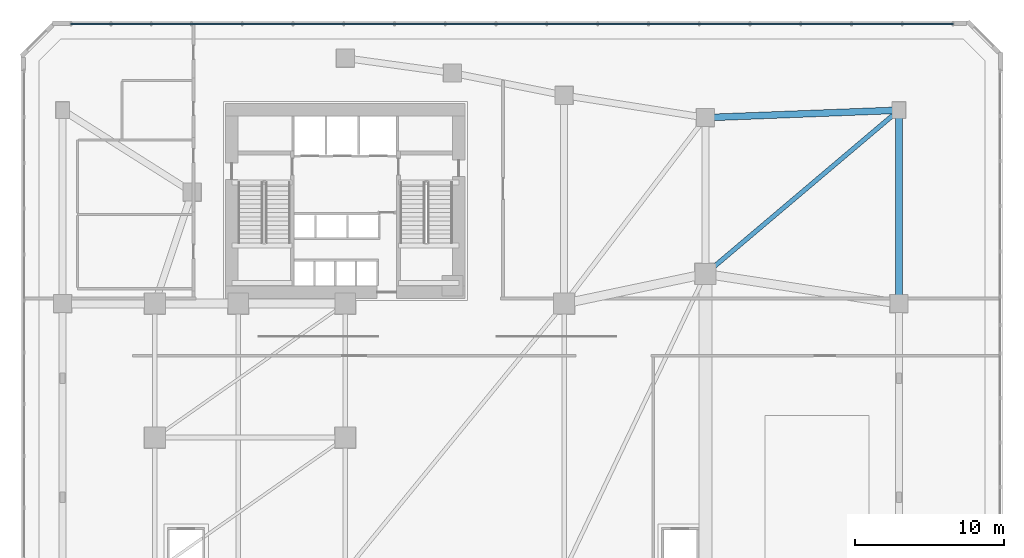
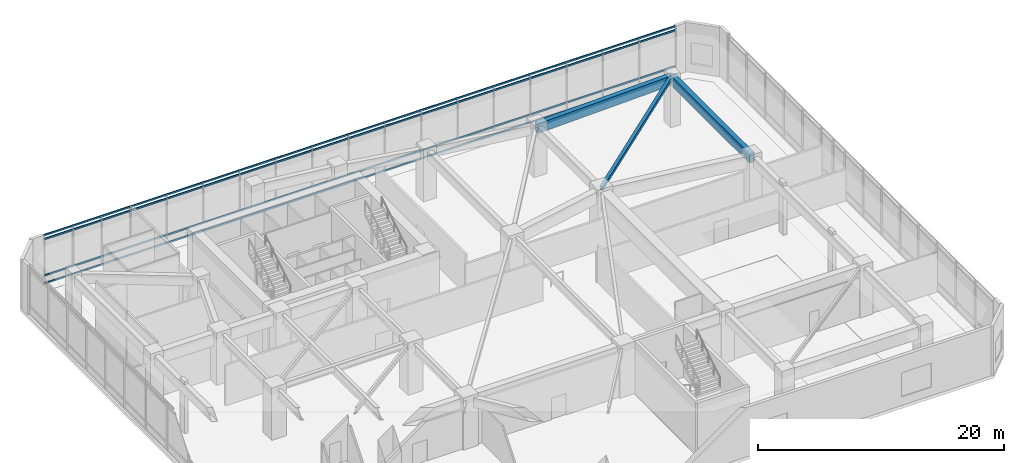
# One storey, part 6 of 16: 4 members, 3 beams, 1 element without a shape of its own.
"""IFC4 building model written with IfcOpenShell, lengths in metres."""

import ifcopenshell
import ifcopenshell.guid

model = None  # the IFC model being written
_history = None  # IfcOwnerHistory: only IFC2X3 demands one
_inside = {}  # id of a spatial element -> (the spatial element, [elements in it])
_under = {}  # id of a project, library or spatial element -> (it, [spatial elements below it])
_declared = {}  # id of a project -> (the project, [libraries it declares])
_typed = {}  # id of a type object -> (the type object, [elements of that type])
_made_of = {}  # id of a material, layer set ... -> (it, [elements and type objects made of it])


def new_model(schema):
    """Start an empty IFC model of exactly this schema.

    Asked for "IFC4X3", IfcOpenShell would pick the latest addendum, in which some entities
    have other attributes; the version numbers below select the first issue.
    IFC2X3 requires an IfcOwnerHistory on every rooted entity: one is made here for all.
    """
    global model, _history
    if schema == "IFC4X3":
        model = ifcopenshell.file(schema_version=(4, 3, 0, 0))
    else:
        model = ifcopenshell.file(schema=schema)
    _inside.clear()
    _under.clear()
    _declared.clear()
    _typed.clear()
    _made_of.clear()
    _history = None
    if model.schema == "IFC2X3":
        org = make("IfcOrganization", Name="unknown")
        user = make(
            "IfcPersonAndOrganization",
            ThePerson=make("IfcPerson", FamilyName="unknown"),
            TheOrganization=org,
        )
        app = make(
            "IfcApplication",
            ApplicationDeveloper=org,
            Version="unknown",
            ApplicationFullName="unknown",
            ApplicationIdentifier="unknown",
        )
        _history = make(
            "IfcOwnerHistory",
            OwningUser=user,
            OwningApplication=app,
            ChangeAction="ADDED",
            CreationDate=0,
        )
    return model


def make(cls, **values):
    """One entity of the class cls with the attributes given. An attribute that is None is left unset."""
    return model.create_entity(
        cls, **{name: value for name, value in values.items() if value is not None}
    )


def rooted(cls, **values):
    """An entity with a GlobalId (a new one), such as an element, a storey or a relation."""
    return make(cls, GlobalId=ifcopenshell.guid.new(), OwnerHistory=_history, **values)


def si_unit(unit_type, name, prefix=None):
    """IfcSIUnit, for example si_unit("LENGTHUNIT", "METRE", prefix="MILLI")."""
    return make("IfcSIUnit", UnitType=unit_type, Prefix=prefix, Name=name)


def assignment(units):
    """IfcUnitAssignment: the units of a project."""
    return None if units is None else make("IfcUnitAssignment", Units=units)


def point(xyz):
    """IfcCartesianPoint."""
    return None if xyz is None else make("IfcCartesianPoint", Coordinates=xyz)


def direction(xyz):
    """IfcDirection."""
    return None if xyz is None else make("IfcDirection", DirectionRatios=xyz)


def frame(location, z_axis=None, x_axis=None):
    """IfcAxis2Placement3D, a coordinate frame: its origin and axes. An axis left out is left unset."""
    return make(
        "IfcAxis2Placement3D",
        Location=point(location),
        Axis=direction(z_axis),
        RefDirection=direction(x_axis),
    )


def frame_2d(location, x_axis=None):
    """IfcAxis2Placement2D, a coordinate frame in the plane: its origin and x axis."""
    return make(
        "IfcAxis2Placement2D", Location=point(location), RefDirection=direction(x_axis)
    )


def origin():
    """The frame at (0, 0, 0) with its axes left unset."""
    return frame((0.0, 0.0, 0.0))


def origin_2d():
    """The frame at (0, 0) in the plane with its x axis left unset."""
    return frame_2d((0.0, 0.0))


def place(relative_to, where):
    """IfcLocalPlacement: puts the frame where relative to a parent placement (None: the world)."""
    return make(
        "IfcLocalPlacement", PlacementRelTo=relative_to, RelativePlacement=where
    )


def context(
    kind, dimensions, precision=None, world=None, true_north=None, identifier=None
):
    """IfcGeometricRepresentationContext, for example the 3D "Model" context."""
    return make(
        "IfcGeometricRepresentationContext",
        ContextIdentifier=identifier,
        ContextType=kind,
        CoordinateSpaceDimension=dimensions,
        Precision=precision,
        WorldCoordinateSystem=world,
        TrueNorth=true_north,
    )


def subcontext(parent, identifier, kind, view, scale=None):
    """IfcGeometricRepresentationSubContext, for example "Body" below "Model"."""
    return make(
        "IfcGeometricRepresentationSubContext",
        ContextIdentifier=identifier,
        ContextType=kind,
        ParentContext=parent,
        TargetScale=scale,
        TargetView=view,
    )


def project(units=None, contexts=None):
    """IfcProject with its units and contexts."""
    return rooted(
        "IfcProject",
        Name="project",
        RepresentationContexts=contexts,
        UnitsInContext=assignment(units),
    )


def spatial(cls, under=None, at=None, **own):
    """A site, building, storey or space (cls), placed at a placement, below another one or the project."""
    s = rooted(cls, ObjectPlacement=at, **own)
    if under is not None:
        _under.setdefault(under.id(), (under, []))[1].append(s)
    return s


def profile(cls, at=None, kind="AREA", **sizes):
    """A parametric profile (cls). Its sizes go by their IFC names, for example OverallWidth=200.0."""
    return make(cls, ProfileType=kind, Position=at, **sizes)


def rectangle(**sizes):
    """IfcRectangleProfileDef."""
    return profile("IfcRectangleProfileDef", **sizes)


def i_section(**sizes):
    """IfcIShapeProfileDef."""
    return profile("IfcIShapeProfileDef", **sizes)


def extrude(swept, where, along, depth):
    """IfcExtrudedAreaSolid: the profile swept, set in the frame where, extruded along a direction by depth."""
    return make(
        "IfcExtrudedAreaSolid",
        SweptArea=swept,
        Position=where,
        ExtrudedDirection=direction(along),
        Depth=depth,
    )


def shape(context_of_items, identifier, shape_type, items):
    """IfcShapeRepresentation: the items that make up one representation, for example the "Body"."""
    return make(
        "IfcShapeRepresentation",
        ContextOfItems=context_of_items,
        RepresentationIdentifier=identifier,
        RepresentationType=shape_type,
        Items=items,
    )


def source(mapping_origin, context_of_items, identifier, shape_type, items):
    """IfcRepresentationMap: a shape defined once, which mapped items show again and again."""
    return make(
        "IfcRepresentationMap",
        MappingOrigin=mapping_origin,
        MappedRepresentation=shape(context_of_items, identifier, shape_type, items),
    )


def transform(
    local_origin,
    x_axis=None,
    y_axis=None,
    z_axis=None,
    scale=None,
    scale2=None,
    scale3=None,
    uniform=True,
):
    """IfcCartesianTransformationOperator3D, or its non-uniform kind. x_axis, y_axis, z_axis: its Axis1, 2, 3."""
    if uniform:
        return make(
            "IfcCartesianTransformationOperator3D",
            Axis1=direction(x_axis),
            Axis2=direction(y_axis),
            LocalOrigin=point(local_origin),
            Scale=scale,
            Axis3=direction(z_axis),
        )
    return make(
        "IfcCartesianTransformationOperator3DnonUniform",
        Axis1=direction(x_axis),
        Axis2=direction(y_axis),
        LocalOrigin=point(local_origin),
        Scale=scale,
        Axis3=direction(z_axis),
        Scale2=scale2,
        Scale3=scale3,
    )


def mapped(mapping_source, mapping_target):
    """IfcMappedItem: shows the shape of a source again, moved by a transform."""
    return make(
        "IfcMappedItem", MappingSource=mapping_source, MappingTarget=mapping_target
    )


def material(Name=None, Category=None):
    """IfcMaterial."""
    return make("IfcMaterial", Name=Name, Category=Category)


def material_profile(
    of_material, cross_section, Name=None, Category=None, Priority=None
):
    """IfcMaterialProfile: a cross section and its material."""
    return make(
        "IfcMaterialProfile",
        Name=Name,
        Material=of_material,
        Profile=cross_section,
        Priority=Priority,
        Category=Category,
    )


def profile_set(profiles, Name=None, composite=None):
    """IfcMaterialProfileSet."""
    return make(
        "IfcMaterialProfileSet",
        Name=Name,
        MaterialProfiles=profiles,
        CompositeProfile=composite,
    )


def made_of(thing, what):
    """Note that an element or type object is made of a material, layer set ...; save() writes the relation."""
    if what is not None:
        _made_of.setdefault(what.id(), (what, []))[1].append(thing)
    return thing


def type_object(cls, material=None, **own):
    """A type object (cls), such as IfcWallType, which elements share."""
    return made_of(rooted(cls, **own), material)


def element(
    cls,
    number,
    at=None,
    inside=None,
    cuts=None,
    type_object=None,
    material=None,
    context=None,
    identifier="Body",
    shape_type=None,
    held_by="IfcProductDefinitionShape",
    body=None,
    shapes=None,
    **own,
):
    """One element of the class cls, such as IfcWall. Its Tag is "e" and its number.

    at: its placement. inside: the storey or other place that contains it. cuts: it is an
    opening in that element (IfcRelVoidsElement). A single representation is given by context,
    identifier, shape_type and body (its items); several are given by shapes. held_by: the class
    of the entity that holds the representations. save() writes the other relations.
    """
    e = rooted(cls, Tag="e%d" % number, ObjectPlacement=at, **own)
    if body is not None:
        shapes = [shape(context, identifier, shape_type, body)]
    if shapes is not None:
        e.Representation = make(held_by, Representations=shapes)
    if inside is not None:
        _inside.setdefault(inside.id(), (inside, []))[1].append(e)
    if cuts is not None:
        rooted(
            "IfcRelVoidsElement", RelatingBuildingElement=cuts, RelatedOpeningElement=e
        )
    if type_object is not None:
        _typed.setdefault(type_object.id(), (type_object, []))[1].append(e)
    return made_of(e, material)


def aggregate(whole, parts):
    """IfcRelAggregates: a whole, such as a stair, and the parts it consists of."""
    return rooted("IfcRelAggregates", RelatingObject=whole, RelatedObjects=parts)


def save(model, path):
    """Write the relations noted so far, then the file.

    IfcRelAggregates (storeys below a building ...), IfcRelContainedInSpatialStructure (elements
    in a storey), IfcRelDefinesByType, IfcRelAssociatesMaterial and IfcRelDeclares: one each for
    every whole, place, type object, material and project.
    """
    for whole, parts in _under.values():
        aggregate(whole, parts)
    for where, things in _inside.values():
        rooted(
            "IfcRelContainedInSpatialStructure",
            RelatedElements=things,
            RelatingStructure=where,
        )
    for kind, things in _typed.values():
        rooted("IfcRelDefinesByType", RelatedObjects=things, RelatingType=kind)
    for what, things in _made_of.values():
        rooted("IfcRelAssociatesMaterial", RelatedObjects=things, RelatingMaterial=what)
    for by, libraries in _declared.values():
        rooted("IfcRelDeclares", RelatingContext=by, RelatedDefinitions=libraries)
    model.write(path)


model = new_model("IFC4")

# Units and contexts
model_context = context("Model", 3, precision=1e-05, world=origin(), true_north=direction((0.0, 1.0)))
body_context = subcontext(model_context, "Body", "Model", "MODEL_VIEW")
ifc_project = project(units=[si_unit("LENGTHUNIT", "METRE"), si_unit("AREAUNIT", "SQUARE_METRE"), si_unit("VOLUMEUNIT", "CUBIC_METRE"), si_unit("PLANEANGLEUNIT", "RADIAN"), si_unit("MASSUNIT", "GRAM", prefix="KILO")], contexts=[model_context])

# Site, building, storey
site_placement = place(None, origin())
site = spatial("IfcSite", under=ifc_project, at=site_placement, CompositionType="ELEMENT")
building_placement = place(site_placement, origin())
building = spatial("IfcBuilding", under=site, at=building_placement, Name="Calvemar Wedge Station Tower", CompositionType="ELEMENT")
storey_placement = place(building_placement, frame((0.0, 0.0, 6.0)))
storey = spatial("IfcBuildingStorey", under=building, at=storey_placement, Name="L02", CompositionType="ELEMENT", Elevation=6.0)

# Beams
ifc_material_1 = material(Name="Concrete C50", Category="concrete")
ifc_material_profile_1 = material_profile(ifc_material_1, rectangle(XDim=0.449951171875, YDim=0.949951171875, at=origin_2d()), Name="RC450x950")
ifc_profile_set_1 = profile_set([ifc_material_profile_1], Name="Concrete C50")
beam_type_1 = type_object("IfcBeamType", Name="BM-G2-950", PredefinedType="BEAM", material=ifc_profile_set_1)
shared_shape_1 = source(origin(), body_context, "Body", "SweptSolid", [
    extrude(rectangle(XDim=0.449951171875, YDim=0.949951171875, at=origin_2d()), origin(), (0.0, 0.0, 1.0), 13.0),
])
beam_1_placement = place(storey_placement, frame((61.0, 33.0, 4.425048828125), z_axis=(0.0, 1.0, 0.0), x_axis=(-1.0, 0.0, 0.0)))
element("IfcBeam", 1, at=beam_1_placement, inside=storey, type_object=beam_type_1, Name="Storey L02 Primary Girder G37", PredefinedType="BEAM", context=body_context, shape_type="MappedRepresentation", body=[
    mapped(shared_shape_1, transform((0.0, 0.0, 0.0), scale=1.0)),
])
shared_shape_2 = source(origin(), body_context, "Body", "SweptSolid", [
    extrude(rectangle(XDim=0.449951171875, YDim=0.949951171875, at=origin_2d()), origin(), (0.0, 0.0, 1.0), 13.009521484375),
])
beam_2_placement = place(storey_placement, frame((48.0, 45.5, 4.425048828125), z_axis=(0.999261174631, 0.038433122101, 0.0), x_axis=(-0.038433122101, 0.999261174631, 0.0)))
element("IfcBeam", 2, at=beam_2_placement, inside=storey, type_object=beam_type_1, Name="Storey L02 Primary Girder G42", PredefinedType="BEAM", context=body_context, shape_type="MappedRepresentation", body=[
    mapped(shared_shape_2, transform((0.0, 0.0, 0.0), scale=1.0)),
])
ifc_material_2 = material(Name="Structural steel ASTM A572 Grade 50", Category="steel")
ifc_material_profile_2 = material_profile(ifc_material_2, i_section(OverallWidth=0.30908203125, OverallDepth=0.322998046875, WebThickness=0.013916015625, FlangeThickness=0.02294921875, FilletRadius=0.014892578125, at=origin_2d()), Name="W310x143")
ifc_profile_set_2 = profile_set([ifc_material_profile_2], Name="Structural steel ASTM A572 Grade 50")
beam_type_2 = type_object("IfcBeamType", Name="BM-J5-W310H", PredefinedType="JOIST", material=ifc_profile_set_2)
shared_shape_3 = source(origin(), body_context, "Body", "SweptSolid", [
    extrude(i_section(OverallWidth=0.30908203125, OverallDepth=0.322998046875, WebThickness=0.013916015625, FlangeThickness=0.02294921875, FilletRadius=0.014892578125, at=origin_2d()), origin(), (0.0, 0.0, 1.0), 17.029296875),
])
beam_3_placement = place(storey_placement, frame((48.0, 35.0, 4.738525390625), z_axis=(0.763386285369, 0.645942241466, 0.0), x_axis=(-0.645942241466, 0.763386285369, 0.0)))
element("IfcBeam", 3, at=beam_3_placement, inside=storey, type_object=beam_type_2, Name="Storey L02 Concourse Cross Joist 12", PredefinedType="JOIST", context=body_context, shape_type="MappedRepresentation", body=[
    mapped(shared_shape_3, transform((0.0, 0.0, 0.0), scale=1.0)),
])

# Curtain wall, members
ifc_material_3 = material(Name="Anodised aluminium 6063-T6", Category="aluminium")
curtain_wall_type = type_object("IfcCurtainWallType", Name="CW5", PredefinedType="NOTDEFINED", material=ifc_material_3)
curtain_wall_placement = place(storey_placement, origin())
curtain_wall = element("IfcCurtainWall", 4, at=curtain_wall_placement, inside=storey, type_object=curtain_wall_type, Name="Storey L02 CW5 Recessed Unitised Curtain Wall 4", PredefinedType="NOTDEFINED")
ifc_material_profile_3 = material_profile(ifc_material_3, rectangle(XDim=0.0849609375, YDim=0.169921875, at=origin_2d()), Name="AL-TRN-85x170")
ifc_profile_set_3 = profile_set([ifc_material_profile_3], Name="Anodised aluminium 6063-T6")
member_type = type_object("IfcMemberType", Name="CW5-TRN", PredefinedType="USERDEFINED", material=ifc_profile_set_3)
shared_shape_4 = source(origin(), body_context, "Body", "SweptSolid", [
    extrude(rectangle(XDim=0.0849609375, YDim=0.169921875, at=origin_2d()), origin(), (0.0, 0.0, 1.0), 59.27587890625),
])
member_1_placement = place(storey_placement, frame((64.637939453125, 51.7900390625, 0.06005859375), z_axis=(-1.0, 0.0, 0.0), x_axis=(0.0, -1.0, 0.0)))
member_1 = element("IfcMember", 5, at=member_1_placement, type_object=member_type, Name="CW5 transom 1", ObjectType="TRANSOM", PredefinedType="USERDEFINED", context=body_context, shape_type="MappedRepresentation", body=[
    mapped(shared_shape_4, transform((0.0, 0.0, 0.0), scale=1.0)),
])
member_2_placement = place(storey_placement, frame((64.637939453125, 51.7900390625, 0.85009765625), z_axis=(-1.0, 0.0, 0.0), x_axis=(0.0, -1.0, 0.0)))
member_2 = element("IfcMember", 6, at=member_2_placement, type_object=member_type, Name="CW5 transom 2", ObjectType="TRANSOM", PredefinedType="USERDEFINED", context=body_context, shape_type="MappedRepresentation", body=[
    mapped(shared_shape_4, transform((0.0, 0.0, 0.0), scale=1.0)),
])
member_3_placement = place(storey_placement, frame((64.637939453125, 51.7900390625, 4.449951171875), z_axis=(-1.0, 0.0, 0.0), x_axis=(0.0, -1.0, 0.0)))
member_3 = element("IfcMember", 7, at=member_3_placement, type_object=member_type, Name="CW5 transom 3", ObjectType="TRANSOM", PredefinedType="USERDEFINED", context=body_context, shape_type="MappedRepresentation", body=[
    mapped(shared_shape_4, transform((0.0, 0.0, 0.0), scale=1.0)),
])
member_4_placement = place(storey_placement, frame((64.637939453125, 51.7900390625, 4.840087890625), z_axis=(-1.0, 0.0, 0.0), x_axis=(0.0, -1.0, 0.0)))
member_4 = element("IfcMember", 8, at=member_4_placement, type_object=member_type, Name="CW5 transom 4", ObjectType="TRANSOM", PredefinedType="USERDEFINED", context=body_context, shape_type="MappedRepresentation", body=[
    mapped(shared_shape_4, transform((0.0, 0.0, 0.0), scale=1.0)),
])
aggregate(curtain_wall, [member_1, member_2, member_3, member_4])

save(model, "model.ifc")
